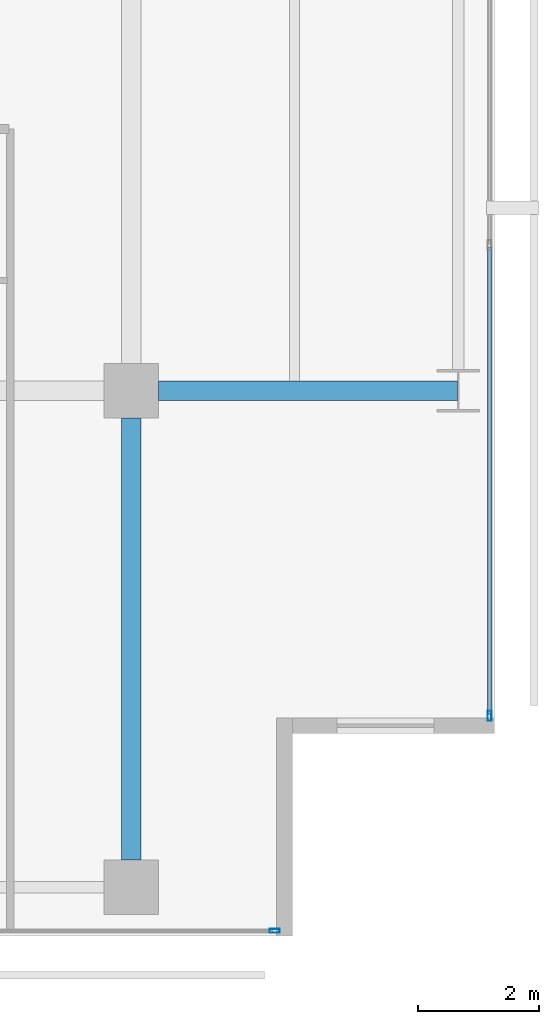
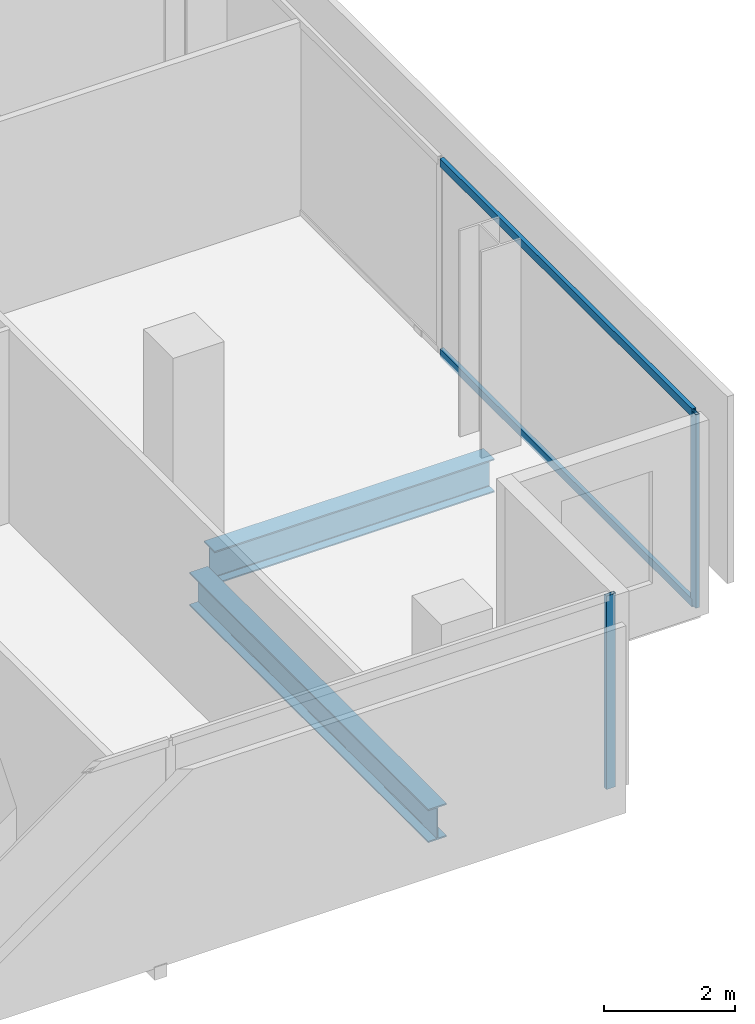
# One storey, part 16 of 40: 4 members, 2 beams, 2 elements without a shape of their own.
"""IFC4 building model written with IfcOpenShell, lengths in metres."""

from ifc_helpers import new_model, si_unit, direction, frame, origin, origin_2d, place, context, subcontext, project, spatial, hollow_rectangle, i_section, extrude, material, layer, layer_set, material_profile, profile_set, type_object, element, aggregate, save


model = new_model("IFC4")

# Units and contexts
model_context = context("Model", 3, precision=1e-05, world=origin(), true_north=direction((0.0, 1.0)))
body_context = subcontext(model_context, "Body", "Model", "MODEL_VIEW")
ifc_project = project(units=[si_unit("LENGTHUNIT", "METRE"), si_unit("AREAUNIT", "SQUARE_METRE"), si_unit("VOLUMEUNIT", "CUBIC_METRE"), si_unit("PLANEANGLEUNIT", "RADIAN"), si_unit("MASSUNIT", "GRAM", prefix="KILO")], contexts=[model_context])

# Site, building, storey
site_placement = place(None, origin())
site = spatial("IfcSite", under=ifc_project, at=site_placement, CompositionType="ELEMENT")
building_placement = place(site_placement, origin())
building = spatial("IfcBuilding", under=site, at=building_placement, Name="Maruvema Waterfront Hotel and Observation Tower", CompositionType="ELEMENT")
storey_placement = place(building_placement, frame((0.0, 0.0, 57.75)))
storey = spatial("IfcBuildingStorey", under=building, at=storey_placement, Name="L13", CompositionType="ELEMENT", Elevation=57.75)

# Curtain wall, members
ifc_material_1 = material(Name="Anodised bronze aluminium and solar-control low-E IGU", Category="aluminium")
ifc_layer = layer(ifc_material_1, 0.159912109375, Name="Zone 1 Bronze Inner Thermal Curtain Wall System CW-02")
ifc_layer_set = layer_set([ifc_layer], Name="Anodised bronze aluminium and solar-control low-E IGU")
curtain_wall_type = type_object("IfcCurtainWallType", Name="Zone 1 Bronze Inner Thermal Curtain Wall System CW-02", PredefinedType="USERDEFINED", material=ifc_layer_set)
curtain_wall_1_placement = place(storey_placement, origin())
curtain_wall_1 = element("IfcCurtainWall", 1, at=curtain_wall_1_placement, inside=storey, type_object=curtain_wall_type, Name="L13 Curtain Wall CW-L13-E", ObjectType="UNITISED CURTAIN WALL", PredefinedType="USERDEFINED")
ifc_material_2 = material(Name="Anodised architectural bronze aluminium", Category="aluminium")
ifc_material_profile_1 = material_profile(ifc_material_2, hollow_rectangle(XDim=0.070068359375, YDim=0.14990234375, WallThickness=0.00390625, at=origin_2d()), Name="ALU-T70x150")
ifc_profile_set_1 = profile_set([ifc_material_profile_1], Name="Anodised architectural bronze aluminium")
member_type_1 = type_object("IfcMemberType", Name="Curtain Wall Horizontal Transom ALU-T70x150", PredefinedType="USERDEFINED", material=ifc_profile_set_1)
member_1_placement = place(storey_placement, frame((64.719970703125, 3.659912109375, 0.030029296875), z_axis=(0.0, 1.0, 0.0), x_axis=(-1.0, 0.0, 0.0)))
member_1 = element("IfcMember", 2, at=member_1_placement, type_object=member_type_1, Name="CW-02 transom 1.1", ObjectType="TRANSOM", PredefinedType="USERDEFINED", context=body_context, shape_type="SweptSolid", body=[
    extrude(hollow_rectangle(XDim=0.070068359375, YDim=0.14990234375, WallThickness=0.00390625, at=origin_2d()), origin(), (0.0, 0.0, 1.0), 7.710205078125),
])
member_2_placement = place(storey_placement, frame((64.719970703125, 3.659912109375, 3.580078125), z_axis=(0.0, 1.0, 0.0), x_axis=(-1.0, 0.0, 0.0)))
member_2 = element("IfcMember", 3, at=member_2_placement, type_object=member_type_1, Name="CW-02 transom 1.2", ObjectType="TRANSOM", PredefinedType="USERDEFINED", context=body_context, shape_type="SweptSolid", body=[
    extrude(hollow_rectangle(XDim=0.070068359375, YDim=0.14990234375, WallThickness=0.00390625, at=origin_2d()), origin(), (0.0, 0.0, 1.0), 7.710205078125),
])

# Curtain wall, member
curtain_wall_2_placement = place(storey_placement, origin())
curtain_wall_2 = element("IfcCurtainWall", 4, at=curtain_wall_2_placement, inside=storey, type_object=curtain_wall_type, Name="L13 Curtain Wall CW-L13-S", ObjectType="UNITISED CURTAIN WALL", PredefinedType="USERDEFINED")
ifc_material_3 = material(Name="Anodised architectural bronze aluminium", Category="aluminium")
ifc_material_profile_2 = material_profile(ifc_material_3, hollow_rectangle(XDim=0.06494140625, YDim=0.1650390625, WallThickness=0.00390625, at=origin_2d()), Name="ALU-M65x165")
ifc_profile_set_2 = profile_set([ifc_material_profile_2], Name="Anodised architectural bronze aluminium")
member_type_2 = type_object("IfcMemberType", Name="Curtain Wall Primary Mullion ALU-M65x165", PredefinedType="MULLION", material=ifc_profile_set_2)
member_3_placement = place(storey_placement, frame((61.169921875, 0.080078125, 0.0), z_axis=(0.0, 0.0, 1.0), x_axis=(0.0, 1.0, 0.0)))
member_3 = element("IfcMember", 5, at=member_3_placement, type_object=member_type_2, Name="CW-02 mullion 7", PredefinedType="MULLION", context=body_context, shape_type="SweptSolid", body=[
    extrude(hollow_rectangle(XDim=0.06494140625, YDim=0.1650390625, WallThickness=0.00390625, at=origin_2d()), origin(), (0.0, 0.0, 1.0), 3.610107421875),
])
aggregate(curtain_wall_2, [member_3])

# Member
member_4_placement = place(storey_placement, frame((64.719970703125, 3.6298828125, 0.0), z_axis=(0.0, 0.0, 1.0), x_axis=(-1.0, 0.0, 0.0)))
member_4 = element("IfcMember", 6, at=member_4_placement, type_object=member_type_2, Name="CW-02 mullion 1", PredefinedType="MULLION", context=body_context, shape_type="SweptSolid", body=[
    extrude(hollow_rectangle(XDim=0.06494140625, YDim=0.1650390625, WallThickness=0.00390625, at=origin_2d()), origin(), (0.0, 0.0, 1.0), 3.610107421875),
])

aggregate(curtain_wall_1, [member_4, member_1, member_2])

# Beams
ifc_material_4 = material(Name="Steel ASTM A572 Grade 50", Category="steel")
ifc_material_profile_3 = material_profile(ifc_material_4, i_section(OverallWidth=0.326904296875, OverallDepth=0.6220703125, WebThickness=0.015380859375, FlangeThickness=0.0244140625, FilletRadius=0.01806640625, at=origin_2d()), Name="W610x195.0")
ifc_profile_set_3 = profile_set([ifc_material_profile_3], Name="Steel ASTM A572 Grade 50")
beam_type = type_object("IfcBeamType", Name="Primary Floor Girder W610x195.0", PredefinedType="BEAM", material=ifc_profile_set_3)
beam_1_placement = place(storey_placement, frame((59.25, 9.0, -0.551025390625), z_axis=(1.0, 0.0, 0.0), x_axis=(0.0, 1.0, 0.0)))
element("IfcBeam", 7, at=beam_1_placement, inside=storey, type_object=beam_type, Name="L13 Floor Girder EW-12", PredefinedType="BEAM", context=body_context, shape_type="SweptSolid", body=[
    extrude(i_section(OverallWidth=0.326904296875, OverallDepth=0.6220703125, WebThickness=0.015380859375, FlangeThickness=0.0244140625, FilletRadius=0.01806640625, at=origin_2d()), origin(), (0.0, 0.0, 1.0), 4.93603515625),
])
beam_2_placement = place(storey_placement, frame((58.800048828125, 1.25, -0.551025390625), z_axis=(0.0, 1.0, 0.0), x_axis=(-1.0, 0.0, 0.0)))
element("IfcBeam", 8, at=beam_2_placement, inside=storey, type_object=beam_type, Name="L13 Floor Girder NS-27", PredefinedType="BEAM", context=body_context, shape_type="SweptSolid", body=[
    extrude(i_section(OverallWidth=0.326904296875, OverallDepth=0.6220703125, WebThickness=0.015380859375, FlangeThickness=0.0244140625, FilletRadius=0.01806640625, at=origin_2d()), origin(), (0.0, 0.0, 1.0), 7.300048828125),
])

save(model, "model.ifc")
